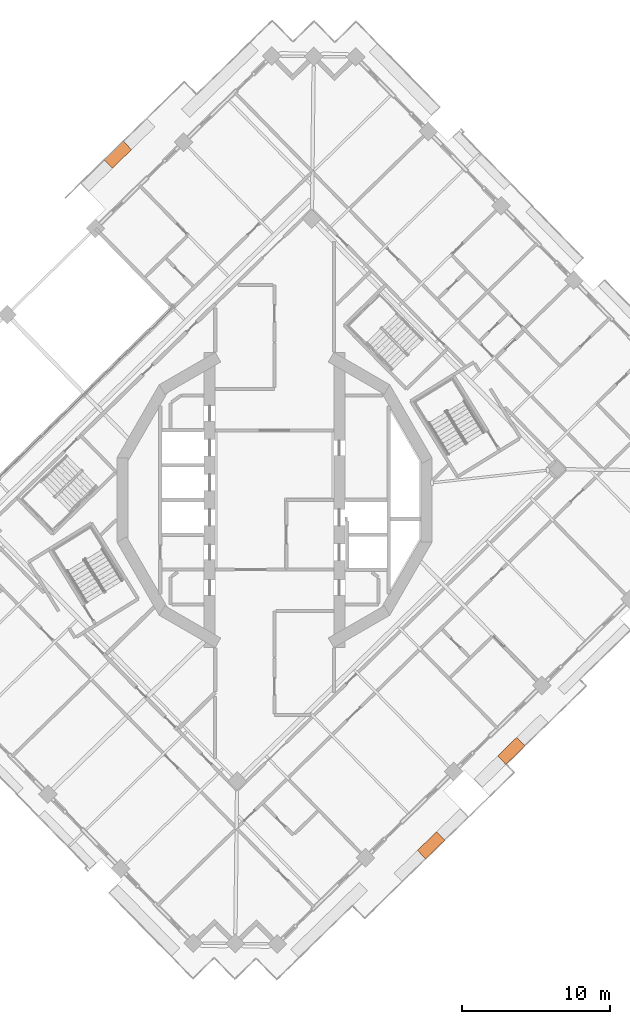
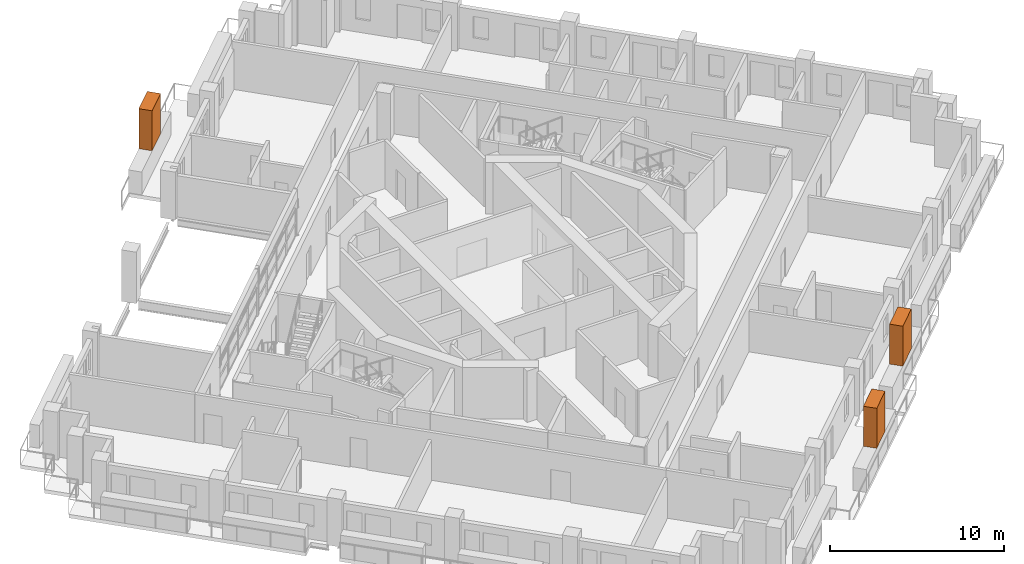
# One storey, part 21 of 21: 3 proxies.
"""IFC4 building model written with IfcOpenShell, lengths in metres."""

from ifc_helpers import new_model, si_unit, direction, frame, origin, origin_2d, place, context, subcontext, project, spatial, rectangle, extrude, element, save


model = new_model("IFC4")

# Units and contexts
model_context = context("Model", 3, precision=1e-05, world=origin(), true_north=direction((0.0, 1.0)))
body_context = subcontext(model_context, "Body", "Model", "MODEL_VIEW")
ifc_project = project(units=[si_unit("LENGTHUNIT", "METRE"), si_unit("AREAUNIT", "SQUARE_METRE"), si_unit("VOLUMEUNIT", "CUBIC_METRE"), si_unit("PLANEANGLEUNIT", "RADIAN"), si_unit("MASSUNIT", "GRAM", prefix="KILO")], contexts=[model_context])

# Site, building, storey
site_placement = place(None, origin())
site = spatial("IfcSite", under=ifc_project, at=site_placement, CompositionType="ELEMENT")
building_placement = place(site_placement, origin())
building = spatial("IfcBuilding", under=site, at=building_placement, Name="Cantera Rosa Tower", CompositionType="ELEMENT")
storey_placement = place(building_placement, frame((0.0, 0.0, 230.60009765625)))
storey = spatial("IfcBuildingStorey", under=building, at=storey_placement, Name="L50", CompositionType="ELEMENT", Elevation=230.60009765625)

# Proxies
for number, where, z_axis, x_axis, name in (
    (1, (-10.56640625, 23.29296875, 1.60009765625), (0.0, 0.0, 1.0), (-0.71528629107, -0.698831540364, 0.0), "TREE L50-07"),
    (2, (10.56640625, -23.29296875, 1.60009765625), (0.0, 0.0, 1.0), (0.71528629107, 0.698831540364, 0.0), "TREE L50-17"),
    (3, (15.97509765625, -16.923583984375, 1.60009765625), (0.0, 0.0, 1.0), (0.71528629107, 0.698831540364, 0.0), "TREE L50-18"),
):
    element("IfcBuildingElementProxy", number, at=place(storey_placement, frame(where, z_axis=z_axis, x_axis=x_axis)), inside=storey, Name=name, ObjectType="TREE", PredefinedType="USERDEFINED", context=body_context, shape_type="SweptSolid", body=[
        extrude(rectangle(XDim=1.800048828125, YDim=0.800048828125, at=origin_2d()), origin(), (0.0, 0.0, 1.0), 2.800048828125),
    ])

save(model, "model.ifc")
